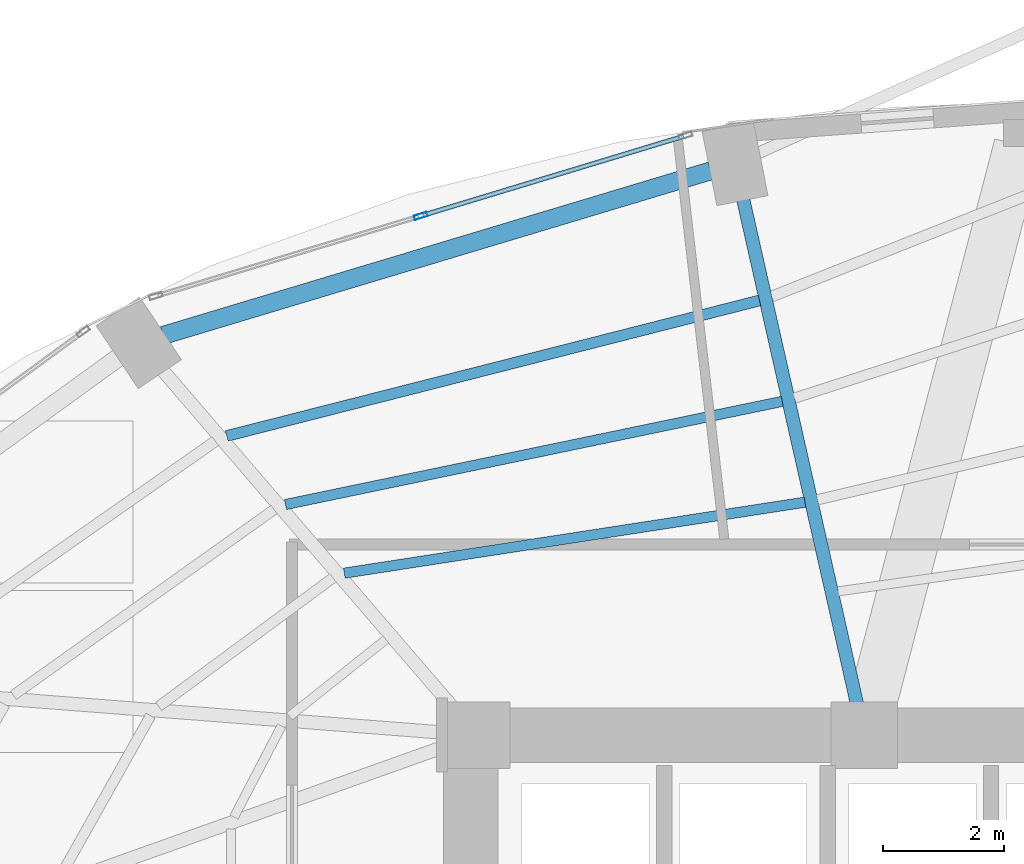
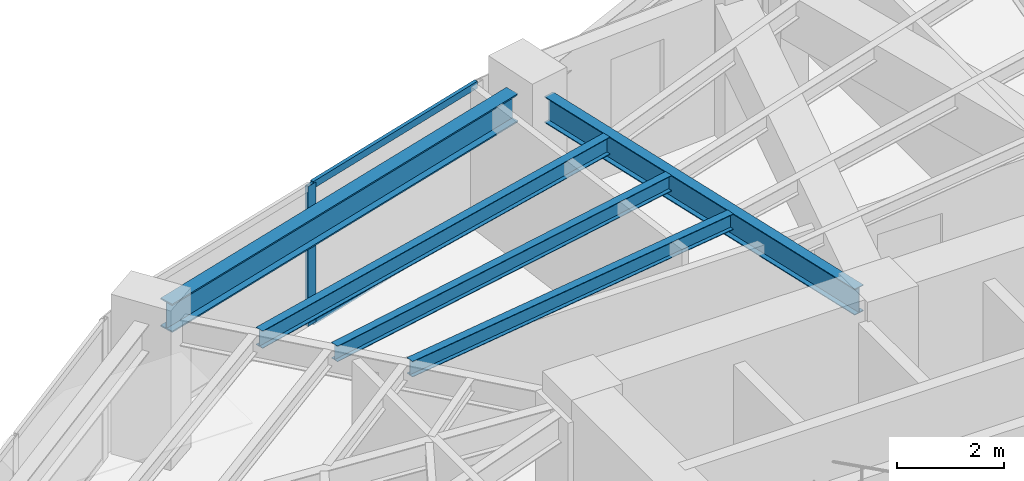
# One storey, part 14 of 24: 5 beams, 3 members, 1 element without a shape of its own.
"""IFC4 building model written with IfcOpenShell, lengths in metres."""

from ifc_helpers import new_model, si_unit, direction, frame, origin, origin_2d, place, context, subcontext, project, spatial, hollow_rectangle, i_section, extrude, material, layer, layer_set, material_profile, profile_set, type_object, element, aggregate, save


model = new_model("IFC4")

# Units and contexts
model_context = context("Model", 3, precision=1e-05, world=origin(), true_north=direction((0.0, 1.0)))
body_context = subcontext(model_context, "Body", "Model", "MODEL_VIEW")
ifc_project = project(units=[si_unit("LENGTHUNIT", "METRE"), si_unit("AREAUNIT", "SQUARE_METRE"), si_unit("VOLUMEUNIT", "CUBIC_METRE"), si_unit("PLANEANGLEUNIT", "RADIAN"), si_unit("MASSUNIT", "GRAM", prefix="KILO")], contexts=[model_context])

# Site, building, storey
site_placement = place(None, origin())
site = spatial("IfcSite", under=ifc_project, at=site_placement, CompositionType="ELEMENT")
building_placement = place(site_placement, origin())
building = spatial("IfcBuilding", under=site, at=building_placement, Name="Lazwardi Medical Tower", CompositionType="ELEMENT")
storey_placement = place(building_placement, frame((0.0, 0.0, 72.6240234375)))
storey = spatial("IfcBuildingStorey", under=building, at=storey_placement, Name="L18", CompositionType="ELEMENT", Elevation=72.6240234375)

# Beams
ifc_material_1 = material(Name="Steel S355", Category="steel")
ifc_material_profile_1 = material_profile(ifc_material_1, i_section(OverallWidth=0.300048828125, OverallDepth=0.64990234375, WebThickness=0.01611328125, FlangeThickness=0.031005859375, at=origin_2d()), Name="HEB 650")
ifc_profile_set_1 = profile_set([ifc_material_profile_1], Name="Steel S355")
beam_type_1 = type_object("IfcBeamType", Name="BM-RB-Z1", PredefinedType="BEAM", material=ifc_profile_set_1)
beam_1_placement = place(storey_placement, frame((30.26708984375, 44.923095703125, 2.873046875), z_axis=(-0.957695289269, -0.287784177662, 0.0), x_axis=(0.287784177662, -0.957695289269, 0.0)))
element("IfcBeam", 1, at=beam_1_placement, inside=storey, type_object=beam_type_1, Name="Ring beam RB-02 B09 L18", PredefinedType="BEAM", context=body_context, shape_type="SweptSolid", body=[
    extrude(i_section(OverallWidth=0.300048828125, OverallDepth=0.64990234375, WebThickness=0.01611328125, FlangeThickness=0.031005859375, at=origin_2d()), origin(), (0.0, 0.0, 1.0), 9.445556640625),
])
ifc_material_profile_2 = material_profile(ifc_material_1, i_section(OverallWidth=0.219970703125, OverallDepth=0.60009765625, WebThickness=0.011962890625, FlangeThickness=0.01904296875, at=origin_2d()), Name="IPE 600")
ifc_profile_set_2 = profile_set([ifc_material_profile_2], Name="Steel S355")
beam_type_2 = type_object("IfcBeamType", Name="BM-RG-W1", PredefinedType="BEAM", material=ifc_profile_set_2)
beam_2_placement = place(storey_placement, frame((30.796875, 44.478271484375, 2.89794921875), z_axis=(0.22010079219, -0.975477135189, 0.0), x_axis=(0.975477135189, 0.22010079219, 0.0)))
element("IfcBeam", 2, at=beam_2_placement, inside=storey, type_object=beam_type_2, Name="Radial girder RG-02 R09 L18", PredefinedType="BEAM", context=body_context, shape_type="SweptSolid", body=[
    extrude(i_section(OverallWidth=0.219970703125, OverallDepth=0.60009765625, WebThickness=0.011962890625, FlangeThickness=0.01904296875, at=origin_2d()), origin(), (0.0, 0.0, 1.0), 8.56640625),
])
ifc_material_profile_3 = material_profile(ifc_material_1, i_section(OverallWidth=0.179931640625, OverallDepth=0.39990234375, WebThickness=0.008544921875, FlangeThickness=0.013427734375, at=origin_2d()), Name="IPE 400")
ifc_profile_set_3 = profile_set([ifc_material_profile_3], Name="Steel S355")
beam_type_3 = type_object("IfcBeamType", Name="BM-SJ-01", PredefinedType="JOIST", material=ifc_profile_set_3)
beam_3_placement = place(storey_placement, frame((31.072265625, 42.781005859375, 2.998046875), z_axis=(-0.969151012048, -0.246467677081, 0.0), x_axis=(0.246467677081, -0.969151012048, 0.0)))
element("IfcBeam", 3, at=beam_3_placement, inside=storey, type_object=beam_type_3, Name="Secondary joist SJ-01 R1 B09 L18", PredefinedType="JOIST", context=body_context, shape_type="SweptSolid", body=[
    extrude(i_section(OverallWidth=0.179931640625, OverallDepth=0.39990234375, WebThickness=0.008544921875, FlangeThickness=0.013427734375, at=origin_2d()), origin(), (0.0, 0.0, 1.0), 9.08251953125),
])
ifc_material_profile_4 = material_profile(ifc_material_1, i_section(OverallWidth=0.169921875, OverallDepth=0.360107421875, WebThickness=0.008056640625, FlangeThickness=0.0126953125, at=origin_2d()), Name="IPE 360")
ifc_profile_set_4 = profile_set([ifc_material_profile_4], Name="Steel S355")
beam_type_4 = type_object("IfcBeamType", Name="BM-SJ-02", PredefinedType="JOIST", material=ifc_profile_set_4)
beam_4_placement = place(storey_placement, frame((31.4482421875, 41.114501953125, 3.01806640625), z_axis=(-0.979107693723, -0.203342381445, 0.0), x_axis=(0.203342381445, -0.979107693723, 0.0)))
element("IfcBeam", 4, at=beam_4_placement, inside=storey, type_object=beam_type_4, Name="Secondary joist SJ-02 R2 B09 L18", PredefinedType="JOIST", context=body_context, shape_type="SweptSolid", body=[
    extrude(i_section(OverallWidth=0.169921875, OverallDepth=0.360107421875, WebThickness=0.008056640625, FlangeThickness=0.0126953125, at=origin_2d()), origin(), (0.0, 0.0, 1.0), 8.381591796875),
])
beam_5_placement = place(storey_placement, frame((31.824462890625, 39.448486328125, 3.01806640625), z_axis=(-0.988362899594, -0.152114360618, 0.0), x_axis=(0.152114360618, -0.988362899594, 0.0)))
element("IfcBeam", 5, at=beam_5_placement, inside=storey, type_object=beam_type_4, Name="Secondary joist SJ-02 R3 B09 L18", PredefinedType="JOIST", context=body_context, shape_type="SweptSolid", body=[
    extrude(i_section(OverallWidth=0.169921875, OverallDepth=0.360107421875, WebThickness=0.008056640625, FlangeThickness=0.0126953125, at=origin_2d()), origin(), (0.0, 0.0, 1.0), 7.70068359375),
])

# Curtain wall, members
ifc_material_2 = material(Name="Anodised bronze aluminium and solar control glazing", Category="aluminium")
ifc_layer = layer(ifc_material_2, 0.199951171875)
ifc_layer_set = layer_set([ifc_layer], Name="Anodised bronze aluminium and solar control glazing")
curtain_wall_type = type_object("IfcCurtainWallType", Name="CW-SYS-02", PredefinedType="NOTDEFINED", material=ifc_layer_set)
curtain_wall_placement = place(storey_placement, origin())
curtain_wall = element("IfcCurtainWall", 6, at=curtain_wall_placement, inside=storey, type_object=curtain_wall_type, Name="L18 Unitised bronze curtain wall CW-02", PredefinedType="NOTDEFINED")
ifc_material_3 = material(Name="Anodised bronze aluminium", Category="aluminium")
ifc_material_profile_5 = material_profile(ifc_material_3, hollow_rectangle(XDim=0.074951171875, YDim=0.219970703125, WallThickness=0.00390625, at=origin_2d()), Name="ALU-MULLION 220x75x4")
ifc_profile_set_5 = profile_set([ifc_material_profile_5], Name="Anodised bronze aluminium")
member_type_1 = type_object("IfcMemberType", Name="CW-MUL-01", PredefinedType="MULLION", material=ifc_profile_set_5)
member_1_placement = place(storey_placement, frame((25.476806640625, 44.178466796875, 0.0), z_axis=(0.0, 0.0, 1.0), x_axis=(0.2898956909, -0.957058247129, 0.0)))
member_1 = element("IfcMember", 7, at=member_1_placement, type_object=member_type_1, Name="CW-02 mullion 2", PredefinedType="MULLION", context=body_context, shape_type="SweptSolid", body=[
    extrude(hollow_rectangle(XDim=0.074951171875, YDim=0.219970703125, WallThickness=0.00390625, at=origin_2d()), origin(), (0.0, 0.0, 1.0), 3.197998046875),
])
ifc_material_profile_6 = material_profile(ifc_material_3, hollow_rectangle(XDim=0.074951171875, YDim=0.159912109375, WallThickness=0.00390625, at=origin_2d()), Name="ALU-TRANSOM 160x75x4")
ifc_profile_set_6 = profile_set([ifc_material_profile_6], Name="Anodised bronze aluminium")
member_type_2 = type_object("IfcMemberType", Name="CW-TRN-01", PredefinedType="USERDEFINED", material=ifc_profile_set_6)
member_2_placement = place(storey_placement, frame((29.816162109375, 45.492919921875, 0.03759765625), z_axis=(-0.957047233423, -0.28993204893, 0.0), x_axis=(0.28993204893, -0.957047233423, 0.0)))
member_2 = element("IfcMember", 8, at=member_2_placement, type_object=member_type_2, Name="CW-02 transom 1.1", ObjectType="TRANSOM", PredefinedType="USERDEFINED", context=body_context, shape_type="SweptSolid", body=[
    extrude(hollow_rectangle(XDim=0.074951171875, YDim=0.159912109375, WallThickness=0.00390625, at=origin_2d()), origin(), (0.0, 0.0, 1.0), 4.49658203125),
])
member_3_placement = place(storey_placement, frame((29.816162109375, 45.492919921875, 3.160400390625), z_axis=(-0.957047233423, -0.28993204893, 0.0), x_axis=(0.28993204893, -0.957047233423, 0.0)))
member_3 = element("IfcMember", 9, at=member_3_placement, type_object=member_type_2, Name="CW-02 transom 1.2", ObjectType="TRANSOM", PredefinedType="USERDEFINED", context=body_context, shape_type="SweptSolid", body=[
    extrude(hollow_rectangle(XDim=0.074951171875, YDim=0.159912109375, WallThickness=0.00390625, at=origin_2d()), origin(), (0.0, 0.0, 1.0), 4.49658203125),
])
aggregate(curtain_wall, [member_1, member_2, member_3])

save(model, "model.ifc")
